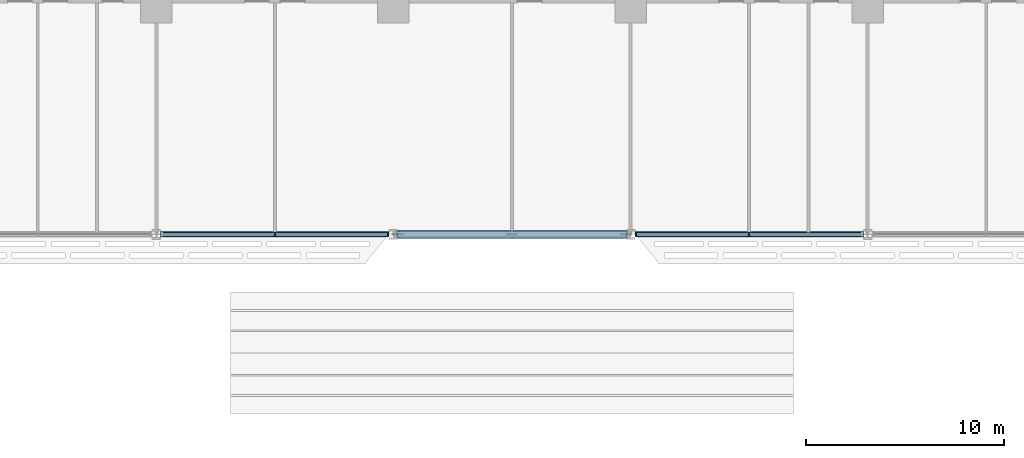
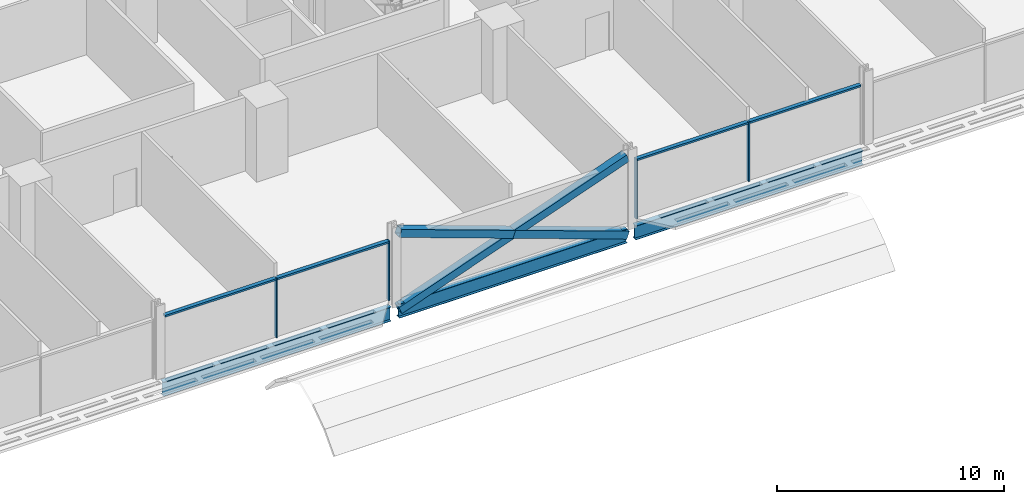
# One storey, part 3 of 26: 11 members, 3 beams, 2 elements without a shape of their own.
"""IFC4 building model written with IfcOpenShell, lengths in metres."""

import ifcopenshell
import ifcopenshell.guid

model = None  # the IFC model being written
_history = None  # IfcOwnerHistory: only IFC2X3 demands one
_inside = {}  # id of a spatial element -> (the spatial element, [elements in it])
_under = {}  # id of a project, library or spatial element -> (it, [spatial elements below it])
_declared = {}  # id of a project -> (the project, [libraries it declares])
_typed = {}  # id of a type object -> (the type object, [elements of that type])
_made_of = {}  # id of a material, layer set ... -> (it, [elements and type objects made of it])


def new_model(schema):
    """Start an empty IFC model of exactly this schema.

    Asked for "IFC4X3", IfcOpenShell would pick the latest addendum, in which some entities
    have other attributes; the version numbers below select the first issue.
    IFC2X3 requires an IfcOwnerHistory on every rooted entity: one is made here for all.
    """
    global model, _history
    if schema == "IFC4X3":
        model = ifcopenshell.file(schema_version=(4, 3, 0, 0))
    else:
        model = ifcopenshell.file(schema=schema)
    _inside.clear()
    _under.clear()
    _declared.clear()
    _typed.clear()
    _made_of.clear()
    _history = None
    if model.schema == "IFC2X3":
        org = make("IfcOrganization", Name="unknown")
        user = make(
            "IfcPersonAndOrganization",
            ThePerson=make("IfcPerson", FamilyName="unknown"),
            TheOrganization=org,
        )
        app = make(
            "IfcApplication",
            ApplicationDeveloper=org,
            Version="unknown",
            ApplicationFullName="unknown",
            ApplicationIdentifier="unknown",
        )
        _history = make(
            "IfcOwnerHistory",
            OwningUser=user,
            OwningApplication=app,
            ChangeAction="ADDED",
            CreationDate=0,
        )
    return model


def make(cls, **values):
    """One entity of the class cls with the attributes given. An attribute that is None is left unset."""
    return model.create_entity(
        cls, **{name: value for name, value in values.items() if value is not None}
    )


def rooted(cls, **values):
    """An entity with a GlobalId (a new one), such as an element, a storey or a relation."""
    return make(cls, GlobalId=ifcopenshell.guid.new(), OwnerHistory=_history, **values)


def si_unit(unit_type, name, prefix=None):
    """IfcSIUnit, for example si_unit("LENGTHUNIT", "METRE", prefix="MILLI")."""
    return make("IfcSIUnit", UnitType=unit_type, Prefix=prefix, Name=name)


def assignment(units):
    """IfcUnitAssignment: the units of a project."""
    return None if units is None else make("IfcUnitAssignment", Units=units)


def point(xyz):
    """IfcCartesianPoint."""
    return None if xyz is None else make("IfcCartesianPoint", Coordinates=xyz)


def direction(xyz):
    """IfcDirection."""
    return None if xyz is None else make("IfcDirection", DirectionRatios=xyz)


def frame(location, z_axis=None, x_axis=None):
    """IfcAxis2Placement3D, a coordinate frame: its origin and axes. An axis left out is left unset."""
    return make(
        "IfcAxis2Placement3D",
        Location=point(location),
        Axis=direction(z_axis),
        RefDirection=direction(x_axis),
    )


def frame_2d(location, x_axis=None):
    """IfcAxis2Placement2D, a coordinate frame in the plane: its origin and x axis."""
    return make(
        "IfcAxis2Placement2D", Location=point(location), RefDirection=direction(x_axis)
    )


def origin():
    """The frame at (0, 0, 0) with its axes left unset."""
    return frame((0.0, 0.0, 0.0))


def origin_2d():
    """The frame at (0, 0) in the plane with its x axis left unset."""
    return frame_2d((0.0, 0.0))


def place(relative_to, where):
    """IfcLocalPlacement: puts the frame where relative to a parent placement (None: the world)."""
    return make(
        "IfcLocalPlacement", PlacementRelTo=relative_to, RelativePlacement=where
    )


def context(
    kind, dimensions, precision=None, world=None, true_north=None, identifier=None
):
    """IfcGeometricRepresentationContext, for example the 3D "Model" context."""
    return make(
        "IfcGeometricRepresentationContext",
        ContextIdentifier=identifier,
        ContextType=kind,
        CoordinateSpaceDimension=dimensions,
        Precision=precision,
        WorldCoordinateSystem=world,
        TrueNorth=true_north,
    )


def subcontext(parent, identifier, kind, view, scale=None):
    """IfcGeometricRepresentationSubContext, for example "Body" below "Model"."""
    return make(
        "IfcGeometricRepresentationSubContext",
        ContextIdentifier=identifier,
        ContextType=kind,
        ParentContext=parent,
        TargetScale=scale,
        TargetView=view,
    )


def project(units=None, contexts=None):
    """IfcProject with its units and contexts."""
    return rooted(
        "IfcProject",
        Name="project",
        RepresentationContexts=contexts,
        UnitsInContext=assignment(units),
    )


def spatial(cls, under=None, at=None, **own):
    """A site, building, storey or space (cls), placed at a placement, below another one or the project."""
    s = rooted(cls, ObjectPlacement=at, **own)
    if under is not None:
        _under.setdefault(under.id(), (under, []))[1].append(s)
    return s


def profile(cls, at=None, kind="AREA", **sizes):
    """A parametric profile (cls). Its sizes go by their IFC names, for example OverallWidth=200.0."""
    return make(cls, ProfileType=kind, Position=at, **sizes)


def rectangle(**sizes):
    """IfcRectangleProfileDef."""
    return profile("IfcRectangleProfileDef", **sizes)


def hollow_rectangle(**sizes):
    """IfcRectangleHollowProfileDef."""
    return profile("IfcRectangleHollowProfileDef", **sizes)


def i_section(**sizes):
    """IfcIShapeProfileDef."""
    return profile("IfcIShapeProfileDef", **sizes)


def extrude(swept, where, along, depth):
    """IfcExtrudedAreaSolid: the profile swept, set in the frame where, extruded along a direction by depth."""
    return make(
        "IfcExtrudedAreaSolid",
        SweptArea=swept,
        Position=where,
        ExtrudedDirection=direction(along),
        Depth=depth,
    )


def shape(context_of_items, identifier, shape_type, items):
    """IfcShapeRepresentation: the items that make up one representation, for example the "Body"."""
    return make(
        "IfcShapeRepresentation",
        ContextOfItems=context_of_items,
        RepresentationIdentifier=identifier,
        RepresentationType=shape_type,
        Items=items,
    )


def material(Name=None, Category=None):
    """IfcMaterial."""
    return make("IfcMaterial", Name=Name, Category=Category)


def material_profile(
    of_material, cross_section, Name=None, Category=None, Priority=None
):
    """IfcMaterialProfile: a cross section and its material."""
    return make(
        "IfcMaterialProfile",
        Name=Name,
        Material=of_material,
        Profile=cross_section,
        Priority=Priority,
        Category=Category,
    )


def profile_set(profiles, Name=None, composite=None):
    """IfcMaterialProfileSet."""
    return make(
        "IfcMaterialProfileSet",
        Name=Name,
        MaterialProfiles=profiles,
        CompositeProfile=composite,
    )


def made_of(thing, what):
    """Note that an element or type object is made of a material, layer set ...; save() writes the relation."""
    if what is not None:
        _made_of.setdefault(what.id(), (what, []))[1].append(thing)
    return thing


def type_object(cls, material=None, **own):
    """A type object (cls), such as IfcWallType, which elements share."""
    return made_of(rooted(cls, **own), material)


def element(
    cls,
    number,
    at=None,
    inside=None,
    cuts=None,
    type_object=None,
    material=None,
    context=None,
    identifier="Body",
    shape_type=None,
    held_by="IfcProductDefinitionShape",
    body=None,
    shapes=None,
    **own,
):
    """One element of the class cls, such as IfcWall. Its Tag is "e" and its number.

    at: its placement. inside: the storey or other place that contains it. cuts: it is an
    opening in that element (IfcRelVoidsElement). A single representation is given by context,
    identifier, shape_type and body (its items); several are given by shapes. held_by: the class
    of the entity that holds the representations. save() writes the other relations.
    """
    e = rooted(cls, Tag="e%d" % number, ObjectPlacement=at, **own)
    if body is not None:
        shapes = [shape(context, identifier, shape_type, body)]
    if shapes is not None:
        e.Representation = make(held_by, Representations=shapes)
    if inside is not None:
        _inside.setdefault(inside.id(), (inside, []))[1].append(e)
    if cuts is not None:
        rooted(
            "IfcRelVoidsElement", RelatingBuildingElement=cuts, RelatedOpeningElement=e
        )
    if type_object is not None:
        _typed.setdefault(type_object.id(), (type_object, []))[1].append(e)
    return made_of(e, material)


def aggregate(whole, parts):
    """IfcRelAggregates: a whole, such as a stair, and the parts it consists of."""
    return rooted("IfcRelAggregates", RelatingObject=whole, RelatedObjects=parts)


def save(model, path):
    """Write the relations noted so far, then the file.

    IfcRelAggregates (storeys below a building ...), IfcRelContainedInSpatialStructure (elements
    in a storey), IfcRelDefinesByType, IfcRelAssociatesMaterial and IfcRelDeclares: one each for
    every whole, place, type object, material and project.
    """
    for whole, parts in _under.values():
        aggregate(whole, parts)
    for where, things in _inside.values():
        rooted(
            "IfcRelContainedInSpatialStructure",
            RelatedElements=things,
            RelatingStructure=where,
        )
    for kind, things in _typed.values():
        rooted("IfcRelDefinesByType", RelatedObjects=things, RelatingType=kind)
    for what, things in _made_of.values():
        rooted("IfcRelAssociatesMaterial", RelatedObjects=things, RelatingMaterial=what)
    for by, libraries in _declared.values():
        rooted("IfcRelDeclares", RelatingContext=by, RelatedDefinitions=libraries)
    model.write(path)


model = new_model("IFC4")

# Units and contexts
model_context = context("Model", 3, precision=1e-05, world=origin(), true_north=direction((0.0, 1.0)))
body_context = subcontext(model_context, "Body", "Model", "MODEL_VIEW")
ifc_project = project(units=[si_unit("LENGTHUNIT", "METRE"), si_unit("AREAUNIT", "SQUARE_METRE"), si_unit("VOLUMEUNIT", "CUBIC_METRE"), si_unit("PLANEANGLEUNIT", "RADIAN"), si_unit("MASSUNIT", "GRAM", prefix="KILO")], contexts=[model_context])

# Site, building, storey
site_placement = place(None, origin())
site = spatial("IfcSite", under=ifc_project, at=site_placement, CompositionType="ELEMENT")
building_placement = place(site_placement, origin())
building = spatial("IfcBuilding", under=site, at=building_placement, Name="Mahtab Terrace Research Tower", CompositionType="ELEMENT")
storey_placement = place(building_placement, frame((0.0, 0.0, 15.800048828125)))
storey = spatial("IfcBuildingStorey", under=building, at=storey_placement, Name="L03", CompositionType="ELEMENT", Elevation=15.800048828125)

# Members
ifc_material_1 = material(Name="Steel ASTM A500 Gr C", Category="steel")
ifc_material_profile_1 = material_profile(ifc_material_1, hollow_rectangle(XDim=0.406494140625, YDim=0.406494140625, WallThickness=0.01904296875, at=origin_2d()), Name="HSS16X16X3/4")
ifc_profile_set_1 = profile_set([ifc_material_profile_1], Name="Steel ASTM A500 Gr C")
member_type_1 = type_object("IfcMemberType", Name="HSS 16x16x3/4 brace XB161634", PredefinedType="BRACE", material=ifc_profile_set_1)
member_1_placement = place(storey_placement, frame((-5.7841796875, -23.0, -0.64111328125), z_axis=(0.941388097231, 0.0, 0.337325436917), x_axis=(0.0, 1.0, 0.0)))
element("IfcMember", 1, at=member_1_placement, inside=storey, type_object=member_type_1, Name="Exoskeleton brace L03 15 a", PredefinedType="BRACE", context=body_context, shape_type="SweptSolid", body=[
    extrude(hollow_rectangle(XDim=0.406494140625, YDim=0.406494140625, WallThickness=0.01904296875, at=origin_2d()), origin(), (0.0, 0.0, 1.0), 12.28857421875),
])
for number, where, z_axis, x_axis, name in (
    (2, (5.7841796875, -23.0, -0.64111328125), (-0.941394406025, 0.0, 0.337307830185), (0.0, -1.0, 0.0), "Exoskeleton brace L03 15 b1"),
    (3, (0.0, -23.0, 1.431396484375), (-0.941381788192, 0.0, 0.337343043295), (0.0, -1.0, 0.0), "Exoskeleton brace L03 15 b2"),
):
    element("IfcMember", number, at=place(storey_placement, frame(where, z_axis=z_axis, x_axis=x_axis)), inside=storey, type_object=member_type_1, Name=name, PredefinedType="BRACE", context=body_context, shape_type="SweptSolid", body=[
        extrude(hollow_rectangle(XDim=0.406494140625, YDim=0.406494140625, WallThickness=0.01904296875, at=origin_2d()), origin(), (0.0, 0.0, 1.0), 6.144287109375),
    ])

# Curtain wall, members
ifc_material_2 = material(Name="Laboratory ribbon curtain wall")
curtain_wall_type = type_object("IfcCurtainWallType", Name="Laboratory ribbon curtain wall", PredefinedType="NOTDEFINED", material=ifc_material_2)
curtain_wall_1_placement = place(storey_placement, origin())
curtain_wall_1 = element("IfcCurtainWall", 4, at=curtain_wall_1_placement, inside=storey, type_object=curtain_wall_type, Name="EN.L03.13.24", PredefinedType="NOTDEFINED")
ifc_material_3 = material(Name="Natural anodised aluminium", Category="aluminium")
ifc_material_profile_2 = material_profile(ifc_material_3, rectangle(XDim=0.199951171875, YDim=0.06494140625, at=origin_2d()), Name="MULLION 65x200")
ifc_profile_set_2 = profile_set([ifc_material_profile_2], Name="Natural anodised aluminium")
member_type_2 = type_object("IfcMemberType", Name="Laboratory ribbon curtain wall mullion", PredefinedType="MULLION", material=ifc_profile_set_2)
member_2_placement = place(storey_placement, frame((-12.0, -23.0, 0.0), z_axis=(0.0, 0.0, 1.0), x_axis=(0.0, 1.0, 0.0)))
member_2 = element("IfcMember", 5, at=member_2_placement, type_object=member_type_2, Name="CWL-1 mullion 2", PredefinedType="MULLION", context=body_context, shape_type="SweptSolid", body=[
    extrude(rectangle(XDim=0.199951171875, YDim=0.06494140625, at=origin_2d()), origin(), (0.0, 0.0, 1.0), 3.203125),
])
member_3_placement = place(storey_placement, frame((-6.281494140625, -23.0, 0.0), z_axis=(0.0, 0.0, 1.0), x_axis=(0.0, 1.0, 0.0)))
member_3 = element("IfcMember", 6, at=member_3_placement, type_object=member_type_2, Name="CWL-1 mullion 3", PredefinedType="MULLION", context=body_context, shape_type="SweptSolid", body=[
    extrude(rectangle(XDim=0.199951171875, YDim=0.06494140625, at=origin_2d()), origin(), (0.0, 0.0, 1.0), 3.203125),
])

curtain_wall_2_placement = place(storey_placement, origin())
curtain_wall_2 = element("IfcCurtainWall", 7, at=curtain_wall_2_placement, inside=storey, type_object=curtain_wall_type, Name="EN.L03.13.26", PredefinedType="NOTDEFINED")
member_4_placement = place(storey_placement, frame((6.281494140625, -23.0, 0.0), z_axis=(0.0, 0.0, 1.0), x_axis=(0.0, 1.0, 0.0)))
member_4 = element("IfcMember", 8, at=member_4_placement, type_object=member_type_2, Name="CWL-1 mullion 1", PredefinedType="MULLION", context=body_context, shape_type="SweptSolid", body=[
    extrude(rectangle(XDim=0.199951171875, YDim=0.06494140625, at=origin_2d()), origin(), (0.0, 0.0, 1.0), 3.203125),
])
member_5_placement = place(storey_placement, frame((12.0, -23.0, 0.0), z_axis=(0.0, 0.0, 1.0), x_axis=(0.0, 1.0, 0.0)))
member_5 = element("IfcMember", 9, at=member_5_placement, type_object=member_type_2, Name="CWL-1 mullion 2", PredefinedType="MULLION", context=body_context, shape_type="SweptSolid", body=[
    extrude(rectangle(XDim=0.199951171875, YDim=0.06494140625, at=origin_2d()), origin(), (0.0, 0.0, 1.0), 3.203125),
])

# Member
ifc_material_profile_3 = material_profile(ifc_material_3, rectangle(XDim=0.199951171875, YDim=0.10009765625, at=origin_2d()), Name="TRANSOM 100x200")
ifc_profile_set_3 = profile_set([ifc_material_profile_3], Name="Natural anodised aluminium")
member_type_3 = type_object("IfcMemberType", Name="Laboratory ribbon curtain wall transom", PredefinedType="USERDEFINED", material=ifc_profile_set_3)
member_6_placement = place(storey_placement, frame((-17.68603515625, -23.0, 3.153076171875), z_axis=(1.0, 0.0, 0.0), x_axis=(0.0, 1.0, 0.0)))
member_6 = element("IfcMember", 10, at=member_6_placement, type_object=member_type_3, Name="CWL-1 transom 1", ObjectType="TRANSOM", PredefinedType="USERDEFINED", context=body_context, shape_type="SweptSolid", body=[
    extrude(rectangle(XDim=0.199951171875, YDim=0.10009765625, at=origin_2d()), origin(), (0.0, 0.0, 1.0), 5.653564453125),
])

member_7_placement = place(storey_placement, frame((-11.967529296875, -23.0, 3.153076171875), z_axis=(1.0, 0.0, 0.0), x_axis=(0.0, 1.0, 0.0)))
member_7 = element("IfcMember", 11, at=member_7_placement, type_object=member_type_3, Name="CWL-1 transom 2", ObjectType="TRANSOM", PredefinedType="USERDEFINED", context=body_context, shape_type="SweptSolid", body=[
    extrude(rectangle(XDim=0.199951171875, YDim=0.10009765625, at=origin_2d()), origin(), (0.0, 0.0, 1.0), 5.653564453125),
])

aggregate(curtain_wall_1, [member_2, member_3, member_6, member_7])

member_8_placement = place(storey_placement, frame((6.31396484375, -23.0, 3.153076171875), z_axis=(1.0, 0.0, 0.0), x_axis=(0.0, 1.0, 0.0)))
member_8 = element("IfcMember", 12, at=member_8_placement, type_object=member_type_3, Name="CWL-1 transom 1", ObjectType="TRANSOM", PredefinedType="USERDEFINED", context=body_context, shape_type="SweptSolid", body=[
    extrude(rectangle(XDim=0.199951171875, YDim=0.10009765625, at=origin_2d()), origin(), (0.0, 0.0, 1.0), 5.653564453125),
])

member_9_placement = place(storey_placement, frame((12.032470703125, -23.0, 3.153076171875), z_axis=(1.0, 0.0, 0.0), x_axis=(0.0, 1.0, 0.0)))
member_9 = element("IfcMember", 13, at=member_9_placement, type_object=member_type_3, Name="CWL-1 transom 2", ObjectType="TRANSOM", PredefinedType="USERDEFINED", context=body_context, shape_type="SweptSolid", body=[
    extrude(rectangle(XDim=0.199951171875, YDim=0.10009765625, at=origin_2d()), origin(), (0.0, 0.0, 1.0), 5.653564453125),
])

aggregate(curtain_wall_2, [member_4, member_5, member_8, member_9])

# Beams
ifc_material_4 = material(Name="Steel ASTM A992 Gr 50", Category="steel")
ifc_material_profile_4 = material_profile(ifc_material_4, i_section(OverallWidth=0.2666015625, OverallDepth=0.7568359375, WebThickness=0.013916015625, FlangeThickness=0.019287109375, at=origin_2d()), Name="W30X108")
ifc_profile_set_4 = profile_set([ifc_material_profile_4], Name="Steel ASTM A992 Gr 50")
beam_type = type_object("IfcBeamType", Name="W30x108 beam BS30108", PredefinedType="BEAM", material=ifc_profile_set_4)
for number, where, z_axis, x_axis, name in (
    (14, (-17.7841796875, -23.0, -0.718505859375), (1.0, 0.0, 0.0), (0.0, 1.0, 0.0), "Spandrel beam L03 14"),
    (15, (-5.7841796875, -23.0, -0.718505859375), (1.0, 0.0, 0.0), (0.0, 1.0, 0.0), "Spandrel beam L03 15"),
    (16, (6.2158203125, -23.0, -0.718505859375), (1.0, 0.0, 0.0), (0.0, 1.0, 0.0), "Spandrel beam L03 16"),
):
    element("IfcBeam", number, at=place(storey_placement, frame(where, z_axis=z_axis, x_axis=x_axis)), inside=storey, type_object=beam_type, Name=name, PredefinedType="BEAM", context=body_context, shape_type="SweptSolid", body=[
        extrude(i_section(OverallWidth=0.2666015625, OverallDepth=0.7568359375, WebThickness=0.013916015625, FlangeThickness=0.019287109375, at=origin_2d()), origin(), (0.0, 0.0, 1.0), 11.568359375),
    ])

save(model, "model.ifc")
